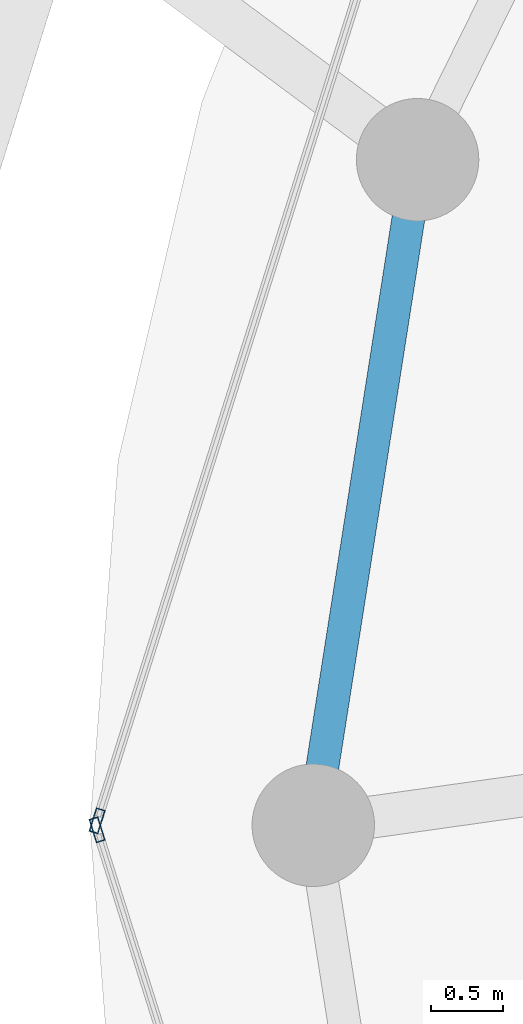
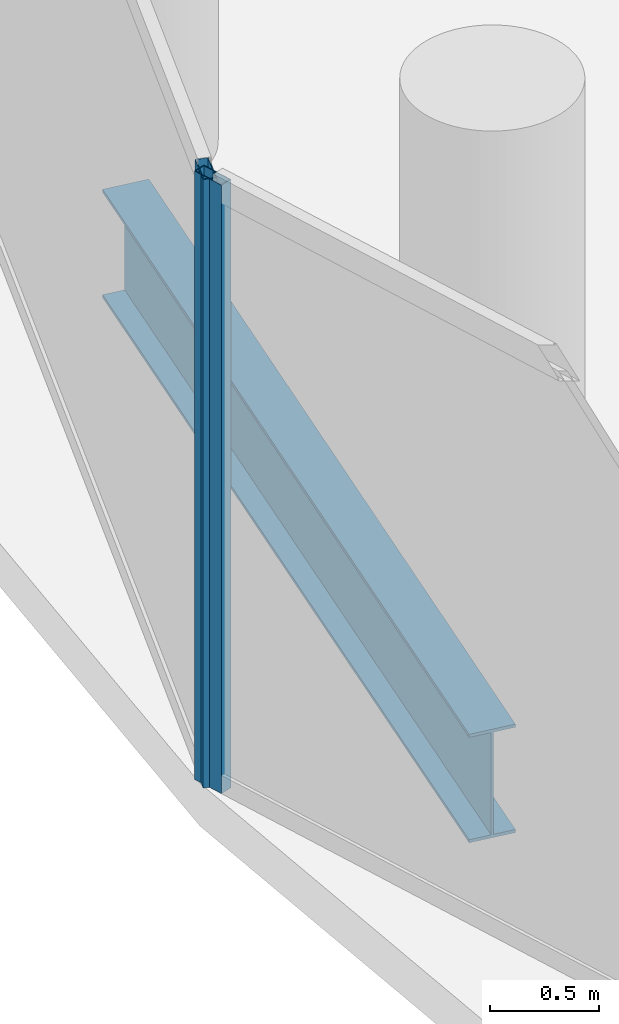
# One storey, part 7 of 27: 2 members, 1 beam, 2 elements without a shape of their own.
"""IFC4 building model written with IfcOpenShell, lengths in metres."""

from ifc_helpers import new_model, si_unit, direction, frame, origin, origin_2d, place, context, subcontext, project, spatial, hollow_rectangle, i_section, extrude, material, layer, layer_set, material_profile, profile_set, type_object, element, aggregate, save


model = new_model("IFC4")

# Units and contexts
model_context = context("Model", 3, precision=1e-05, world=origin(), true_north=direction((0.0, 1.0)))
body_context = subcontext(model_context, "Body", "Model", "MODEL_VIEW")
ifc_project = project(units=[si_unit("LENGTHUNIT", "METRE"), si_unit("AREAUNIT", "SQUARE_METRE"), si_unit("VOLUMEUNIT", "CUBIC_METRE"), si_unit("PLANEANGLEUNIT", "RADIAN"), si_unit("MASSUNIT", "GRAM", prefix="KILO")], contexts=[model_context])

# Site, building, storey
site_placement = place(None, origin())
site = spatial("IfcSite", under=ifc_project, at=site_placement, CompositionType="ELEMENT")
building_placement = place(site_placement, origin())
building = spatial("IfcBuilding", under=site, at=building_placement, Name="Nuhasar Tower", CompositionType="ELEMENT")
storey_placement = place(building_placement, frame((0.0, 0.0, 230.050048828125)))
storey = spatial("IfcBuildingStorey", under=building, at=storey_placement, Name="L56", CompositionType="ELEMENT", Elevation=230.050048828125)

# Beam
ifc_material_1 = material(Name="Steel S355", Category="steel")
ifc_material_profile_1 = material_profile(ifc_material_1, i_section(OverallWidth=0.22802734375, OverallDepth=0.60791015625, WebThickness=0.01123046875, FlangeThickness=0.017333984375, at=origin_2d()), Name="W24X76")
ifc_profile_set_1 = profile_set([ifc_material_profile_1], Name="Steel S355")
beam_type = type_object("IfcBeamType", Name="BM-RING-W24X76", PredefinedType="SPANDREL", material=ifc_profile_set_1)
beam_placement = place(storey_placement, frame((18.47412109375, 31.419921875, -0.5439453125), z_axis=(-0.154849872935, -0.987938012657, 0.0), x_axis=(0.987938012657, -0.154849872935, 0.0)))
element("IfcBeam", 1, at=beam_placement, inside=storey, type_object=beam_type, Name="L56 Perimeter Ring Spandrel 12", PredefinedType="SPANDREL", context=body_context, shape_type="SweptSolid", body=[
    extrude(i_section(OverallWidth=0.22802734375, OverallDepth=0.60791015625, WebThickness=0.01123046875, FlangeThickness=0.017333984375, at=origin_2d()), origin(), (0.0, 0.0, 1.0), 4.67626953125),
])

# Curtain wall, member
ifc_material_2 = material(Name="Aluminium 6063-T6", Category="aluminium")
ifc_layer = layer(ifc_material_2, 0.18994140625)
ifc_layer_set = layer_set([ifc_layer], Name="Aluminium 6063-T6")
curtain_wall_type = type_object("IfcCurtainWallType", Name="CW-Z3-RES", PredefinedType="NOTDEFINED", material=ifc_layer_set)
curtain_wall_1_placement = place(storey_placement, origin())
curtain_wall_1 = element("IfcCurtainWall", 2, at=curtain_wall_1_placement, inside=storey, type_object=curtain_wall_type, Name="L56 Unitised Curtain Wall 06", PredefinedType="NOTDEFINED")
ifc_material_profile_2 = material_profile(ifc_material_2, hollow_rectangle(XDim=0.06494140625, YDim=0.169921875, WallThickness=0.0048828125, at=origin_2d()), Name="CWM-4")
ifc_profile_set_2 = profile_set([ifc_material_profile_2], Name="Aluminium 6063-T6")
member_type = type_object("IfcMemberType", Name="CW-MUL-S4", PredefinedType="MULLION", material=ifc_profile_set_2)
member_1_placement = place(storey_placement, frame((16.249755859375, 26.8310546875, 0.0), z_axis=(0.0, 0.0, 1.0), x_axis=(0.95380429279, -0.30042864553, 0.0)))
member_1 = element("IfcMember", 3, at=member_1_placement, type_object=member_type, Name="CW-Z3 mullion 2", PredefinedType="MULLION", context=body_context, shape_type="SweptSolid", body=[
    extrude(hollow_rectangle(XDim=0.06494140625, YDim=0.169921875, WallThickness=0.0048828125, at=origin_2d()), origin(), (0.0, 0.0, 1.0), 3.409912109375),
])
aggregate(curtain_wall_1, [member_1])

curtain_wall_2_placement = place(storey_placement, origin())
curtain_wall_2 = element("IfcCurtainWall", 4, at=curtain_wall_2_placement, inside=storey, type_object=curtain_wall_type, Name="L56 Unitised Curtain Wall 07", PredefinedType="NOTDEFINED")
member_2_placement = place(storey_placement, frame((16.249755859375, 26.76904296875, 0.0), z_axis=(0.0, 0.0, 1.0), x_axis=(0.95380429279, 0.30042864553, 0.0)))
member_2 = element("IfcMember", 5, at=member_2_placement, type_object=member_type, Name="CW-Z3 mullion 1", PredefinedType="MULLION", context=body_context, shape_type="SweptSolid", body=[
    extrude(hollow_rectangle(XDim=0.06494140625, YDim=0.169921875, WallThickness=0.0048828125, at=origin_2d()), origin(), (0.0, 0.0, 1.0), 3.409912109375),
])
aggregate(curtain_wall_2, [member_2])

save(model, "model.ifc")
